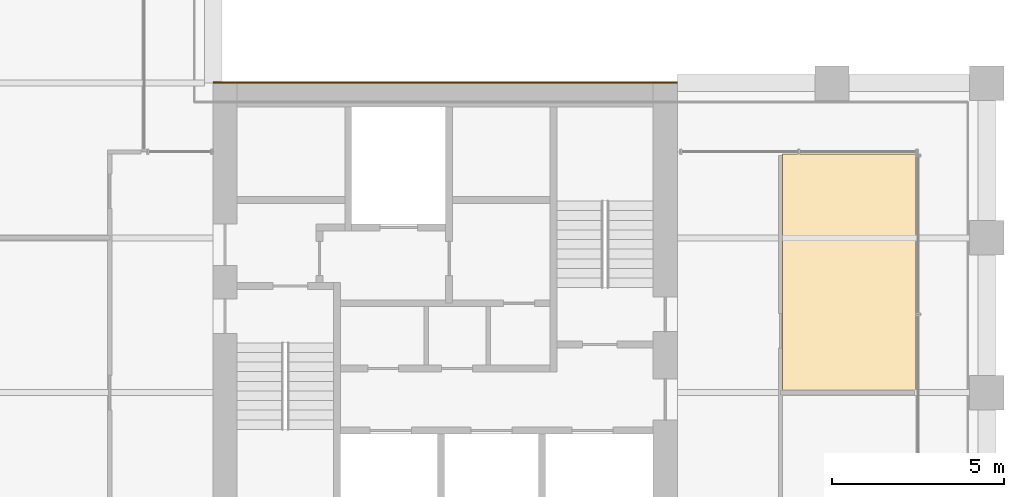
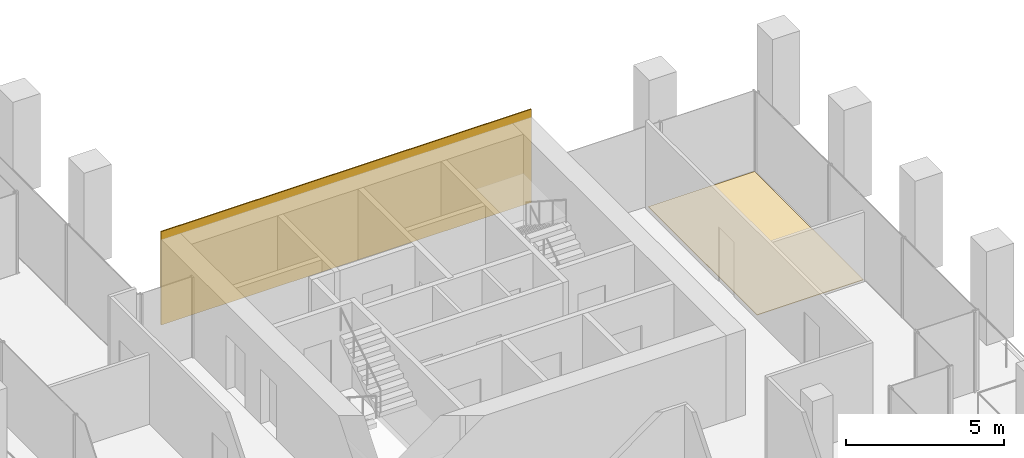
# One storey, part 46 of 46: 2 coverings.
"""IFC4 building model written with IfcOpenShell, lengths in metres."""

from ifc_helpers import new_model, si_unit, direction, frame, origin, origin_2d, place, context, subcontext, project, spatial, polyline, rectangle, outline, extrude, material, layer, layer_set, type_object, element, save


model = new_model("IFC4")

# Units and contexts
model_context = context("Model", 3, precision=1e-05, world=origin(), true_north=direction((0.0, 1.0)))
body_context = subcontext(model_context, "Body", "Model", "MODEL_VIEW")
ifc_project = project(units=[si_unit("LENGTHUNIT", "METRE"), si_unit("AREAUNIT", "SQUARE_METRE"), si_unit("VOLUMEUNIT", "CUBIC_METRE"), si_unit("PLANEANGLEUNIT", "RADIAN"), si_unit("MASSUNIT", "GRAM", prefix="KILO")], contexts=[model_context])

# Site, building, storey
site_placement = place(None, origin())
site = spatial("IfcSite", under=ifc_project, at=site_placement, CompositionType="ELEMENT")
building_placement = place(site_placement, origin())
building = spatial("IfcBuilding", under=site, at=building_placement, Name="Altepetl Exchange Towers", CompositionType="ELEMENT")
storey_placement = place(building_placement, frame((0.0, 0.0, 135.199951171875)))
storey = spatial("IfcBuildingStorey", under=building, at=storey_placement, Name="L33", CompositionType="ELEMENT", Elevation=135.199951171875)

# Coverings
ifc_material_1 = material(Name="Carpet tile")
ifc_layer_1 = layer(ifc_material_1, 0.02001953125)
ifc_layer_set_1 = layer_set([ifc_layer_1], Name="Carpet tile")
covering_type_1 = type_object("IfcCoveringType", Name="Carpet tile floor", PredefinedType="FLOORING", material=ifc_layer_set_1)
covering_1_placement = place(storey_placement, origin())
element("IfcCovering", 1, at=covering_1_placement, inside=storey, type_object=covering_type_1, Name="Meeting room floor finish B33.05", PredefinedType="FLOORING", context=body_context, shape_type="SweptSolid", body=[
    extrude(outline(polyline([(120.0625, 47.4375), (120.0625, 40.5625), (123.9375, 40.5625), (123.9375, 47.4375), (120.0625, 47.4375)])), origin(), (0.0, 0.0, 1.0), 0.02001953125),
])
ifc_material_2 = material(Name="Cantera limestone cladding", Category="masonry")
ifc_layer_2 = layer(ifc_material_2, 0.0400390625)
ifc_layer_set_2 = layer_set([ifc_layer_2], Name="Cantera limestone cladding")
covering_type_2 = type_object("IfcCoveringType", Name="Stone panel 40 cantera", PredefinedType="CLADDING", material=ifc_layer_set_2)
covering_2_placement = place(storey_placement, frame((110.25, 49.52001953125, 0.0), z_axis=(0.0, 0.0, 1.0), x_axis=(-1.0, 0.0, 0.0)))
element("IfcCovering", 2, at=covering_2_placement, inside=storey, type_object=covering_type_2, Name="Stone cladding panel", PredefinedType="CLADDING", context=body_context, shape_type="SweptSolid", body=[
    extrude(rectangle(XDim=13.5, YDim=0.0400390625, at=origin_2d()), origin(), (0.0, 0.0, 1.0), 3.60009765625),
])

save(model, "model.ifc")
